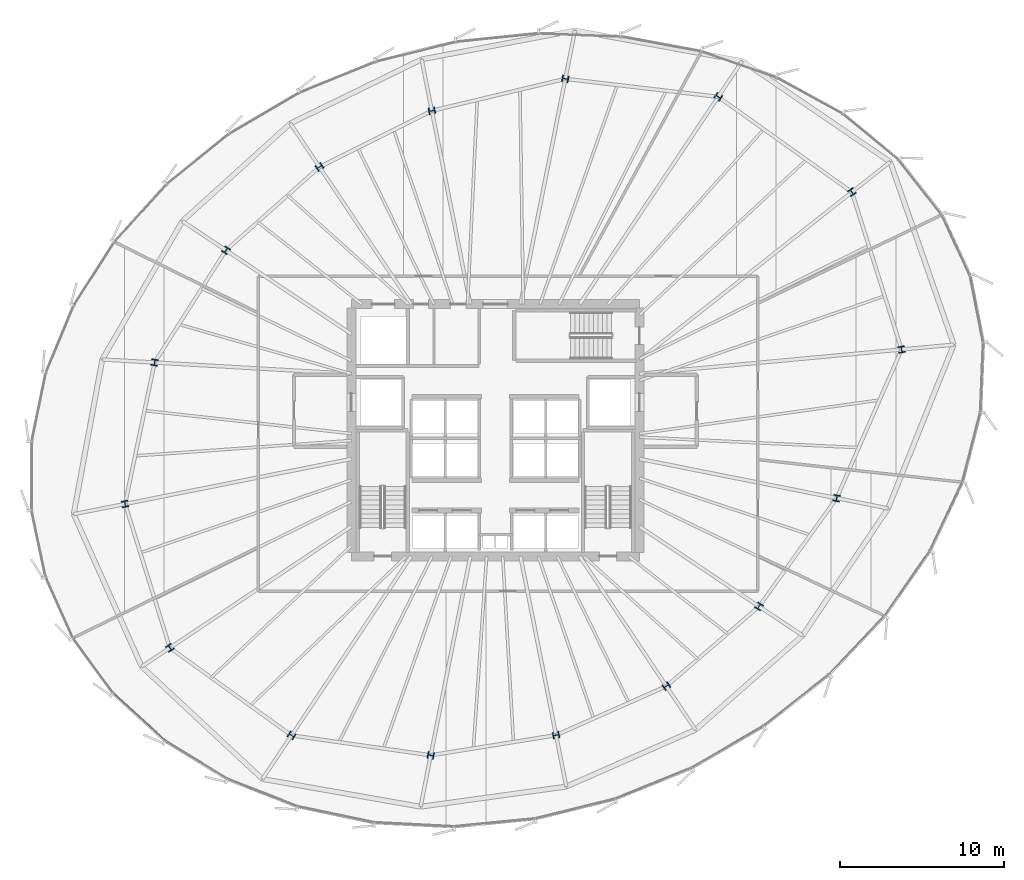
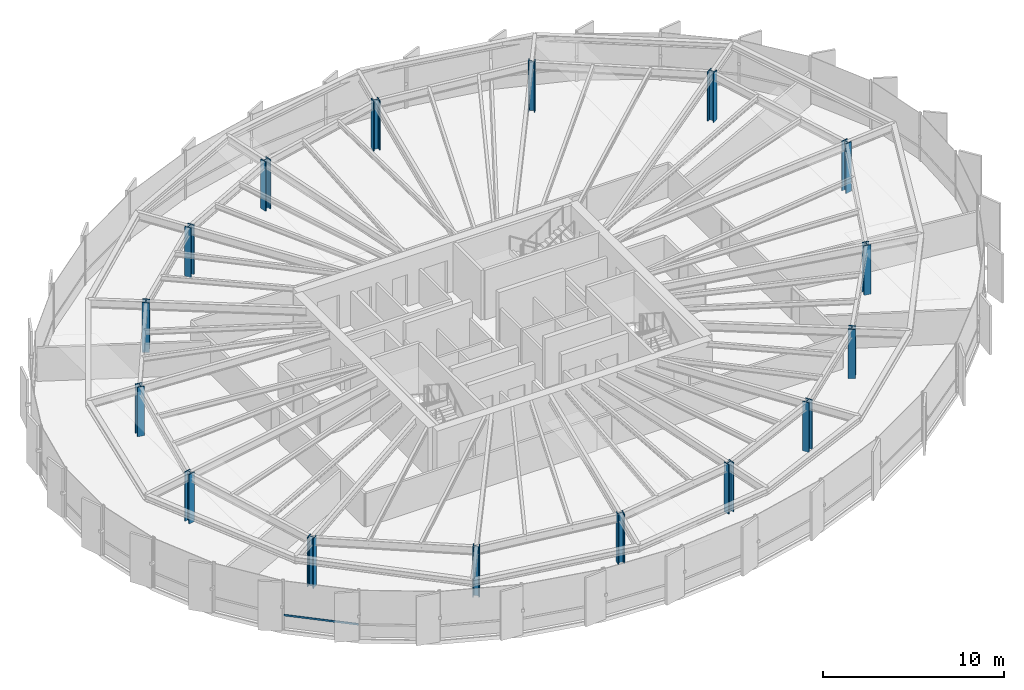
# One storey, part 1 of 35: 16 columns, 1 member, 1 element without a shape of its own.
"""IFC4 building model written with IfcOpenShell, lengths in metres."""

from ifc_helpers import new_model, si_unit, direction, frame, origin, origin_2d, place, context, subcontext, project, spatial, hollow_rectangle, i_section, extrude, source, transform, mapped, material, layer, layer_set, material_profile, profile_set, type_object, element, aggregate, save


model = new_model("IFC4")

# Units and contexts
model_context = context("Model", 3, precision=1e-05, world=origin(), true_north=direction((0.0, 1.0)))
body_context = subcontext(model_context, "Body", "Model", "MODEL_VIEW")
ifc_project = project(units=[si_unit("LENGTHUNIT", "METRE"), si_unit("AREAUNIT", "SQUARE_METRE"), si_unit("VOLUMEUNIT", "CUBIC_METRE"), si_unit("PLANEANGLEUNIT", "RADIAN"), si_unit("MASSUNIT", "GRAM", prefix="KILO"), si_unit("THERMODYNAMICTEMPERATUREUNIT", "KELVIN")], contexts=[model_context])

# Site, building, storey
site_placement = place(None, origin())
site = spatial("IfcSite", under=ifc_project, at=site_placement, CompositionType="ELEMENT")
building_placement = place(site_placement, origin())
building = spatial("IfcBuilding", under=site, at=building_placement, Name="Kethvar Cultural Tower", CompositionType="ELEMENT")
storey_placement = place(building_placement, frame((0.0, 0.0, 107.199951171875)))
storey = spatial("IfcBuildingStorey", under=building, at=storey_placement, Name="L26", CompositionType="ELEMENT", Elevation=107.199951171875)

# Columns
ifc_material_1 = material(Name="Steel S460M", Category="steel")
ifc_material_profile_1 = material_profile(ifc_material_1, i_section(OverallWidth=0.405029296875, OverallDepth=0.39794921875, WebThickness=0.034912109375, FlangeThickness=0.055908203125, FilletRadius=0.014892578125, at=origin_2d()), Name="Steel S460M — HD400x744")
ifc_profile_set_1 = profile_set([ifc_material_profile_1], Name="Steel S460M — HD400x744")
column_type = type_object("IfcColumnType", Name="COL-HD744", PredefinedType="COLUMN", material=ifc_profile_set_1)
shared_shape_1 = source(origin(), body_context, "Body", "SweptSolid", [
    extrude(i_section(OverallWidth=0.405029296875, OverallDepth=0.39794921875, WebThickness=0.034912109375, FlangeThickness=0.055908203125, FilletRadius=0.014892578125, at=origin_2d()), origin(), (0.0, 0.0, 1.0), 3.35009765625),
])
for number, where, z_axis, x_axis, name in (
    (1, (71.6025390625, 32.7333984375, 0.0), (0.0, 0.0, 1.0), (0.980785280403, 0.195090322016, 0.0), "L26 Mega-Column MC-01"),
    (2, (68.568603515625, 42.34521484375, 0.0), (0.0, 0.0, 1.0), (0.831469612303, 0.55557023302, 0.0), "L26 Mega-Column MC-02"),
    (3, (60.40478515625, 48.160888671875, 0.0), (0.0, 0.0, 1.0), (0.55557023302, 0.831469612303, 0.0), "L26 Mega-Column MC-03"),
    (4, (51.068603515625, 49.25927734375, 0.0), (0.0, 0.0, 1.0), (0.195090322016, 0.980785280403, 0.0), "L26 Mega-Column MC-04"),
    (5, (42.9189453125, 47.311279296875, 0.0), (0.0, 0.0, 1.0), (-0.195090322016, 0.980785280403, 0.0), "L26 Mega-Column MC-05"),
    (6, (36.0576171875, 43.877197265625, 0.0), (0.0, 0.0, 1.0), (-0.55557023302, 0.831469612303, 0.0), "L26 Mega-Column MC-06"),
    (7, (30.345947265625, 38.794189453125, 0.0), (0.0, 0.0, 1.0), (-0.831469612303, 0.55557023302, 0.0), "L26 Mega-Column MC-07"),
    (8, (25.988525390625, 31.939697265625, 0.0), (0.0, 0.0, 1.0), (-0.980785280403, 0.195090322016, 0.0), "L26 Mega-Column MC-08"),
    (9, (24.185302734375, 23.3017578125, 0.0), (0.0, 0.0, 1.0), (-0.980785280403, -0.195090322016, 0.0), "L26 Mega-Column MC-09"),
    (10, (26.920654296875, 14.51708984375, 0.0), (0.0, 0.0, 1.0), (-0.831469612303, -0.55557023302, 0.0), "L26 Mega-Column MC-10"),
    (11, (34.350830078125, 9.16845703125, 0.0), (0.0, 0.0, 1.0), (-0.55557023302, -0.831469612303, 0.0), "L26 Mega-Column MC-11"),
    (12, (42.852294921875, 7.95361328125, 0.0), (0.0, 0.0, 1.0), (-0.195090322016, -0.980785280403, 0.0), "L26 Mega-Column MC-12"),
    (13, (50.50341796875, 9.182373046875, 0.0), (0.0, 0.0, 1.0), (0.195090322016, -0.980785280403, 0.0), "L26 Mega-Column MC-13"),
    (14, (57.241943359375, 12.17236328125, 0.0), (0.0, 0.0, 1.0), (0.55557023302, -0.831469612303, 0.0), "L26 Mega-Column MC-14"),
    (15, (62.898681640625, 17.043212890625, 0.0), (0.0, 0.0, 1.0), (0.831469612303, -0.55557023302, 0.0), "L26 Mega-Column MC-15"),
    (16, (67.638671875, 23.65478515625, 0.0), (0.0, 0.0, 1.0), (0.980785280403, -0.195090322016, 0.0), "L26 Mega-Column MC-16"),
):
    element("IfcColumn", number, at=place(storey_placement, frame(where, z_axis=z_axis, x_axis=x_axis)), inside=storey, type_object=column_type, Name=name, PredefinedType="COLUMN", context=body_context, shape_type="MappedRepresentation", body=[
        mapped(shared_shape_1, transform((0.0, 0.0, 0.0), scale=1.0)),
    ])

# Curtain wall, member
ifc_material_2 = material(Name="Aluminium 6063-T6", Category="aluminium")
ifc_layer = layer(ifc_material_2, 0.179931640625, Name="Aluminium 6063-T6", Category="aluminium")
ifc_layer_set = layer_set([ifc_layer], Name="Aluminium 6063-T6 (180 mm)")
curtain_wall_type = type_object("IfcCurtainWallType", Name="CW-SYS-03-Z2", PredefinedType="NOTDEFINED", material=ifc_layer_set)
curtain_wall_placement = place(storey_placement, origin())
curtain_wall = element("IfcCurtainWall", 17, at=curtain_wall_placement, inside=storey, type_object=curtain_wall_type, Name="L26 Curtain Wall Run 04", PredefinedType="NOTDEFINED")
ifc_material_profile_2 = material_profile(ifc_material_2, hollow_rectangle(XDim=0.054931640625, YDim=0.1201171875, WallThickness=0.00390625, at=origin_2d()), Name="Aluminium 6063-T6 — RHS120x55x4")
ifc_profile_set_2 = profile_set([ifc_material_profile_2], Name="Aluminium 6063-T6 — RHS120x55x4")
member_type = type_object("IfcMemberType", Name="CW-SYS-03-Z2-TRN", PredefinedType="USERDEFINED", material=ifc_profile_set_2)
shared_shape_2 = source(origin(), body_context, "Body", "SweptSolid", [
    extrude(hollow_rectangle(XDim=0.054931640625, YDim=0.1201171875, WallThickness=0.00390625, at=origin_2d()), origin(), (0.0, 0.0, 1.0), 4.2333984375),
])
member_placement = place(storey_placement, frame((23.510986328125, 11.706298828125, 0.949951171875), z_axis=(0.738856188464, -0.673863140978, 0.0), x_axis=(0.673863140978, 0.738856188464, 0.0)))
member = element("IfcMember", 18, at=member_placement, type_object=member_type, Name="CW-L26-R04 Transom 3", ObjectType="TRANSOM", PredefinedType="USERDEFINED", context=body_context, shape_type="MappedRepresentation", body=[
    mapped(shared_shape_2, transform((0.0, 0.0, 0.0), scale=1.0)),
])
aggregate(curtain_wall, [member])

save(model, "model.ifc")
